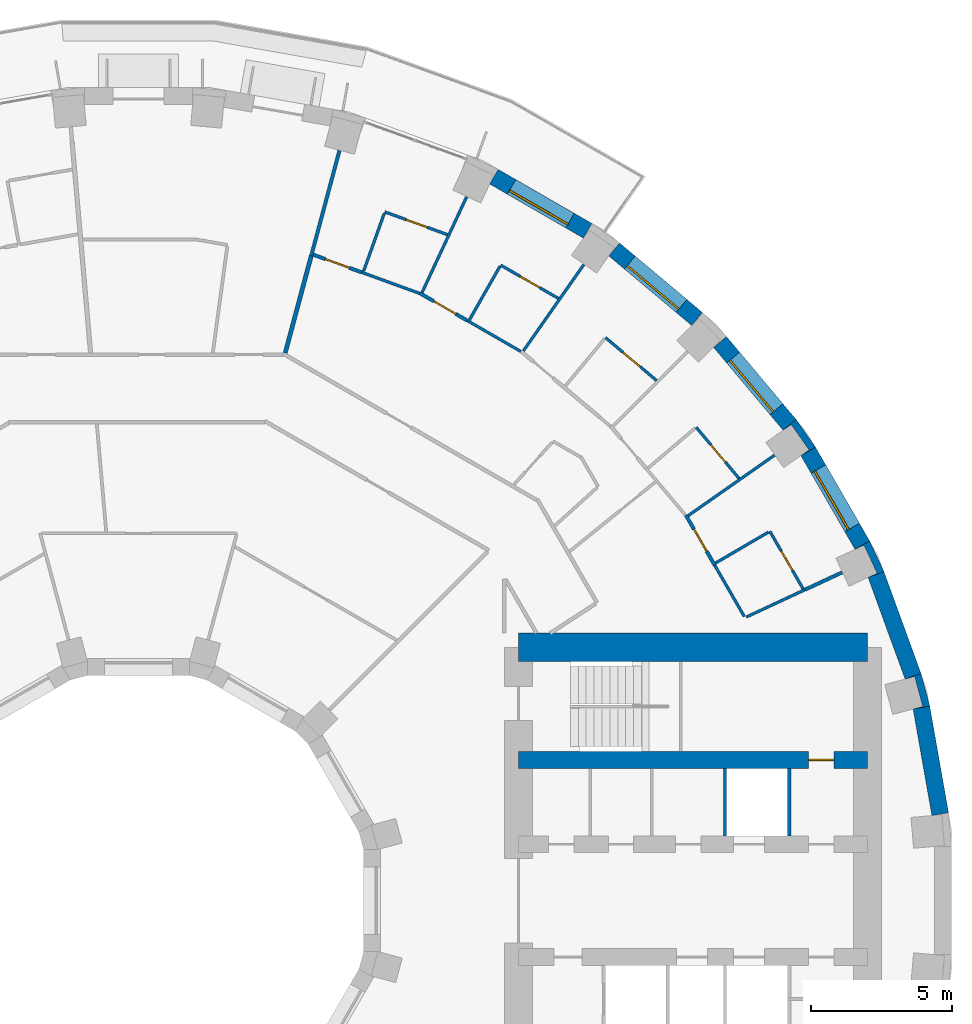
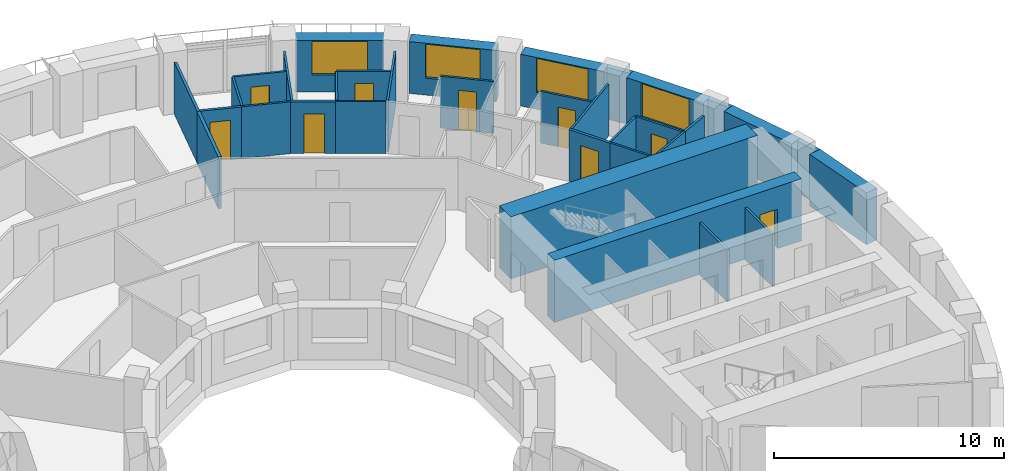
# One storey, part 13 of 15: 34 walls, 9 doors, 4 windows, 13 openings.
"""IFC4 building model written with IfcOpenShell, lengths in metres."""

from ifc_helpers import new_model, si_unit, direction, frame, frame_2d, origin, place, context, subcontext, project, spatial, polyline, rectangle, outline, extrude, material, layer, layer_set, type_object, element, fill, save


model = new_model("IFC4")

# Units and contexts
model_context = context("Model", 3, precision=1e-05, world=origin(), true_north=direction((0.0, 1.0)))
body_context = subcontext(model_context, "Body", "Model", "MODEL_VIEW")
ifc_project = project(units=[si_unit("LENGTHUNIT", "METRE"), si_unit("AREAUNIT", "SQUARE_METRE"), si_unit("VOLUMEUNIT", "CUBIC_METRE"), si_unit("PLANEANGLEUNIT", "RADIAN"), si_unit("MASSUNIT", "GRAM", prefix="KILO")], contexts=[model_context])

# Site, building, storey
site_placement = place(None, origin())
site = spatial("IfcSite", under=ifc_project, at=site_placement, CompositionType="ELEMENT")
building_placement = place(site_placement, origin())
building = spatial("IfcBuilding", under=site, at=building_placement, Name="Saqina Gate Tower", CompositionType="ELEMENT")
storey_placement = place(building_placement, frame((0.0, 0.0, 75.800048828125)))
storey = spatial("IfcBuildingStorey", under=building, at=storey_placement, Name="L21", CompositionType="ELEMENT", Elevation=75.800048828125)

# Walls
ifc_material_1 = material(Name="Brick masonry (red)", Category="masonry")
wall_type_1 = type_object("IfcWallType", Name="BRICK PIER COPING RED", PredefinedType="SOLIDWALL", material=ifc_material_1)
wall_1_placement = place(storey_placement, origin())
element("IfcWall", 1, at=wall_1_placement, inside=storey, type_object=wall_type_1, Name="Pier cap L21 column 2", PredefinedType="SOLIDWALL", context=body_context, shape_type="SweptSolid", body=[
    extrude(outline(polyline([(28.11669921875, 6.910400390625), (27.80517578125, 8.073974609375), (27.2412109375, 7.86865234375), (27.57958984375, 7.95947265625), (27.864501953125, 6.896728515625), (27.52587890625, 6.80615234375), (28.11669921875, 6.910400390625)])), origin(), (0.0, 0.0, 1.0), 2.75),
])
wall_2_placement = place(storey_placement, origin())
element("IfcWall", 2, at=wall_2_placement, inside=storey, type_object=wall_type_1, Name="Pier cap L21 column 3", PredefinedType="SOLIDWALL", context=body_context, shape_type="SweptSolid", body=[
    extrude(outline(polyline([(25.980712890625, 12.779541015625), (25.4609375, 12.4794921875), (25.778564453125, 12.627685546875), (26.243408203125, 11.630615234375), (25.92578125, 11.482666015625), (26.48974609375, 11.687744140625), (25.980712890625, 12.779541015625)])), origin(), (0.0, 0.0, 1.0), 2.75),
])
wall_3_placement = place(storey_placement, origin())
element("IfcWall", 3, at=wall_3_placement, inside=storey, type_object=wall_type_1, Name="Pier cap L21 column 4", PredefinedType="SOLIDWALL", context=body_context, shape_type="SweptSolid", body=[
    extrude(outline(polyline([(24.0576171875, 16.110107421875), (23.36669921875, 17.096923828125), (22.9072265625, 16.711181640625), (23.194091796875, 16.912109375), (23.8251953125, 16.010986328125), (23.5380859375, 15.81005859375), (24.0576171875, 16.110107421875)])), origin(), (0.0, 0.0, 1.0), 2.75),
])

# Wall, opening, window
ifc_material_2 = material(Name="Brick masonry (red)", Category="masonry")
ifc_layer_1 = layer(ifc_material_2, 0.60009765625)
ifc_layer_set_1 = layer_set([ifc_layer_1], Name="FW-BRICK-RED")
wall_type_2 = type_object("IfcWallType", Name="FW-BRICK-RED", PredefinedType="SOLIDWALL", material=ifc_layer_set_1)
wall_4_placement = place(storey_placement, frame((25.720703125, 12.629638671875, 0.0), z_axis=(0.0, 0.0, 1.0), x_axis=(-0.499989888488, 0.86603124159, 0.0)))
wall_4 = element("IfcWall", 4, at=wall_4_placement, inside=storey, type_object=wall_type_2, Name="Facade wall L21 facet 3", PredefinedType="SOLIDWALL", context=body_context, shape_type="SweptSolid", body=[
    extrude(rectangle(XDim=3.845703125, YDim=0.60009765625, at=frame_2d((1.9228515625, 0.0))), origin(), (0.0, 0.0, 1.0), 2.75),
])
opening_1_placement = place(wall_4_placement, frame((0.722900390625, 0.0, 0.89990234375)))
opening_1 = element("IfcOpeningElement", 5, at=opening_1_placement, cuts=wall_4, Name="Opening G06-W01", PredefinedType="OPENING", context=body_context, shape_type="SweptSolid", body=[
    extrude(rectangle(XDim=2.39990234375, YDim=1.800048828125, at=frame_2d((1.199951171875, 0.89990234375))), frame((0.0, 0.31201171875, 0.0), z_axis=(0.0, -1.0, 0.0), x_axis=(1.0, 0.0, 0.0)), (0.0, 0.0, 1.0), 0.6240234375),
])
ifc_material_3 = material(Name="Aluminium glazing", Category="aluminium")
window_type = type_object("IfcWindowType", Name="WN-A", PartitioningType="SINGLE_PANEL", PredefinedType="WINDOW", material=ifc_material_3)
window_1_placement = place(opening_1_placement, origin())
window_1 = element("IfcWindow", 6, at=window_1_placement, inside=storey, type_object=window_type, Name="Window L21 facet 3", OverallHeight=1.800048828125, OverallWidth=2.39990234375, PartitioningType="SINGLE_PANEL", PredefinedType="WINDOW", context=body_context, shape_type="SweptSolid", body=[
    extrude(rectangle(XDim=2.39990234375, YDim=1.800048828125, at=frame_2d((1.199951171875, 0.89990234375))), frame((0.0, 0.179931640625, 0.0), z_axis=(0.0, -1.0, 0.0), x_axis=(1.0, 0.0, 0.0)), (0.0, 0.0, 1.0), 0.06005859375),
])
fill(opening_1, window_1)

wall_5_placement = place(storey_placement, frame((23.136962890625, 16.904052734375, 0.0), z_axis=(0.0, 0.0, 1.0), x_axis=(-0.642809392687, 0.766026164483, 0.0)))
wall_5 = element("IfcWall", 7, at=wall_5_placement, inside=storey, type_object=wall_type_2, Name="Facade wall L21 facet 4", PredefinedType="SOLIDWALL", context=body_context, shape_type="SweptSolid", body=[
    extrude(rectangle(XDim=3.845947265625, YDim=0.60009765625, at=frame_2d((1.9228515625, 0.0))), origin(), (0.0, 0.0, 1.0), 2.75),
])
opening_2_placement = place(wall_5_placement, frame((0.722900390625, 0.0, 0.89990234375)))
opening_2 = element("IfcOpeningElement", 8, at=opening_2_placement, cuts=wall_5, Name="Opening G06-W02", PredefinedType="OPENING", context=body_context, shape_type="SweptSolid", body=[
    extrude(rectangle(XDim=2.39990234375, YDim=1.800048828125, at=frame_2d((1.199951171875, 0.89990234375))), frame((0.0, 0.31201171875, 0.0), z_axis=(0.0, -1.0, 0.0), x_axis=(1.0, 0.0, 0.0)), (0.0, 0.0, 1.0), 0.6240234375),
])
window_2_placement = place(opening_2_placement, origin())
window_2 = element("IfcWindow", 9, at=window_2_placement, inside=storey, type_object=window_type, Name="Window L21 facet 4", OverallHeight=1.800048828125, OverallWidth=2.39990234375, PartitioningType="SINGLE_PANEL", PredefinedType="WINDOW", context=body_context, shape_type="SweptSolid", body=[
    extrude(rectangle(XDim=2.39990234375, YDim=1.800048828125, at=frame_2d((1.199951171875, 0.89990234375))), frame((0.0, 0.179931640625, 0.0), z_axis=(0.0, -1.0, 0.0), x_axis=(1.0, 0.0, 0.0)), (0.0, 0.0, 1.0), 0.06005859375),
])
fill(opening_2, window_2)

wall_6_placement = place(storey_placement, frame((19.85009765625, 20.664794921875, 0.0), z_axis=(0.0, 0.0, 1.0), x_axis=(-0.766026164483, 0.642809392687, 0.0)))
wall_6 = element("IfcWall", 10, at=wall_6_placement, inside=storey, type_object=wall_type_2, Name="Facade wall L21 facet 5", PredefinedType="SOLIDWALL", context=body_context, shape_type="SweptSolid", body=[
    extrude(rectangle(XDim=3.845947265625, YDim=0.60009765625, at=frame_2d((1.9228515625, 0.0))), origin(), (0.0, 0.0, 1.0), 2.75),
])
opening_3_placement = place(wall_6_placement, frame((0.722900390625, 0.0, 0.89990234375)))
opening_3 = element("IfcOpeningElement", 11, at=opening_3_placement, cuts=wall_6, Name="Opening G06-W03", PredefinedType="OPENING", context=body_context, shape_type="SweptSolid", body=[
    extrude(rectangle(XDim=2.39990234375, YDim=1.800048828125, at=frame_2d((1.199951171875, 0.89990234375))), frame((0.0, 0.31201171875, 0.0), z_axis=(0.0, -1.0, 0.0), x_axis=(1.0, 0.0, 0.0)), (0.0, 0.0, 1.0), 0.6240234375),
])
window_3_placement = place(opening_3_placement, origin())
window_3 = element("IfcWindow", 12, at=window_3_placement, inside=storey, type_object=window_type, Name="Window L21 facet 5", OverallHeight=1.800048828125, OverallWidth=2.39990234375, PartitioningType="SINGLE_PANEL", PredefinedType="WINDOW", context=body_context, shape_type="SweptSolid", body=[
    extrude(rectangle(XDim=2.39990234375, YDim=1.800048828125, at=frame_2d((1.199951171875, 0.89990234375))), frame((0.0, 0.179931640625, 0.0), z_axis=(0.0, -1.0, 0.0), x_axis=(1.0, 0.0, 0.0)), (0.0, 0.0, 1.0), 0.06005859375),
])
fill(opening_3, window_3)

wall_7_placement = place(storey_placement, frame((15.960205078125, 23.7978515625, 0.0), z_axis=(0.0, 0.0, 1.0), x_axis=(-0.86603124159, 0.499989888488, 0.0)))
wall_7 = element("IfcWall", 13, at=wall_7_placement, inside=storey, type_object=wall_type_2, Name="Facade wall L21 facet 6", PredefinedType="SOLIDWALL", context=body_context, shape_type="SweptSolid", body=[
    extrude(rectangle(XDim=3.845703125, YDim=0.60009765625, at=frame_2d((1.9228515625, 0.0))), origin(), (0.0, 0.0, 1.0), 2.75),
])
opening_4_placement = place(wall_7_placement, frame((0.722900390625, 0.0, 0.89990234375)))
opening_4 = element("IfcOpeningElement", 14, at=opening_4_placement, cuts=wall_7, Name="Opening G06-W04", PredefinedType="OPENING", context=body_context, shape_type="SweptSolid", body=[
    extrude(rectangle(XDim=2.39990234375, YDim=1.800048828125, at=frame_2d((1.199951171875, 0.89990234375))), frame((0.0, 0.31201171875, 0.0), z_axis=(0.0, -1.0, 0.0), x_axis=(1.0, 0.0, 0.0)), (0.0, 0.0, 1.0), 0.6240234375),
])
window_4_placement = place(opening_4_placement, origin())
window_4 = element("IfcWindow", 15, at=window_4_placement, inside=storey, type_object=window_type, Name="Window L21 facet 6", OverallHeight=1.800048828125, OverallWidth=2.39990234375, PartitioningType="SINGLE_PANEL", PredefinedType="WINDOW", context=body_context, shape_type="SweptSolid", body=[
    extrude(rectangle(XDim=2.39990234375, YDim=1.800048828125, at=frame_2d((1.199951171875, 0.89990234375))), frame((0.0, 0.179931640625, 0.0), z_axis=(0.0, -1.0, 0.0), x_axis=(1.0, 0.0, 0.0)), (0.0, 0.0, 1.0), 0.06005859375),
])
fill(opening_4, window_4)

# Walls
ifc_material_4 = material(Name="Glazed ceramic tile", Category="ceramic")
ifc_layer_2 = layer(ifc_material_4, 0.60009765625)
ifc_layer_set_2 = layer_set([ifc_layer_2], Name="FW-TILE")
wall_type_3 = type_object("IfcWallType", Name="FW-TILE", PredefinedType="SOLIDWALL", material=ifc_layer_set_2)
wall_8_placement = place(storey_placement, frame((27.523193359375, 7.97119140625, 0.0), z_axis=(0.0, 0.0, 1.0), x_axis=(-0.342028474173, 0.939689588564, 0.0)))
element("IfcWall", 16, at=wall_8_placement, inside=storey, type_object=wall_type_3, Name="Facade wall L21 facet 2", PredefinedType="SOLIDWALL", context=body_context, shape_type="SweptSolid", body=[
    extrude(rectangle(XDim=3.845947265625, YDim=0.60009765625, at=frame_2d((1.9228515625, 0.0))), origin(), (0.0, 0.0, 1.0), 2.75),
])
ifc_material_5 = material(Name="Glazed ceramic tile (dark blue)", Category="ceramic")
ifc_layer_3 = layer(ifc_material_5, 0.60009765625)
ifc_layer_set_3 = layer_set([ifc_layer_3], Name="FW-TILE-CB")
wall_type_4 = type_object("IfcWallType", Name="FW-TILE-CB", PredefinedType="SOLIDWALL", material=ifc_layer_set_3)
wall_9_placement = place(storey_placement, frame((28.4892578125, 3.07080078125, 0.0), z_axis=(0.0, 0.0, 1.0), x_axis=(-0.173687553279, 0.984800809218, 0.0)))
element("IfcWall", 17, at=wall_9_placement, inside=storey, type_object=wall_type_4, Name="Facade wall L21 facet 1", PredefinedType="SOLIDWALL", context=body_context, shape_type="SweptSolid", body=[
    extrude(rectangle(XDim=3.845703125, YDim=0.60009765625, at=frame_2d((1.9228515625, 0.0))), origin(), (0.0, 0.0, 1.0), 2.75),
])
ifc_material_6 = material(Name="Gypsum board on steel studs, 100 mm", Category="steel")
ifc_layer_4 = layer(ifc_material_6, 0.10009765625)
ifc_layer_set_4 = layer_set([ifc_layer_4], Name="PARTITION 100")
wall_type_5 = type_object("IfcWallType", Name="PARTITION 100", PredefinedType="PARTITIONING", material=ifc_layer_set_4)
wall_10_placement = place(storey_placement, frame((20.480224609375, 11.90576171875, 0.0), z_axis=(0.0, 0.0, 1.0), x_axis=(0.500153222552, -0.865936922628, 0.0)))
element("IfcWall", 18, at=wall_10_placement, inside=storey, type_object=wall_type_5, Name="PARTITION PW3-23", PredefinedType="PARTITIONING", context=body_context, shape_type="SweptSolid", body=[
    extrude(rectangle(XDim=2.093017578125, YDim=0.10009765625, at=frame_2d((1.04638671875, 0.0))), origin(), (0.0, 0.0, 1.0), 2.75),
])

# Wall, opening, door
wall_11_placement = place(storey_placement, frame((22.43505859375, 13.12109375, 0.0), z_axis=(0.0, 0.0, 1.0), x_axis=(0.500121220083, -0.865955406025, 0.0)))
wall_11 = element("IfcWall", 19, at=wall_11_placement, inside=storey, type_object=wall_type_5, Name="PARTITION PW3-24", PredefinedType="PARTITIONING", context=body_context, shape_type="SweptSolid", body=[
    extrude(rectangle(XDim=2.3671875, YDim=0.10009765625, at=frame_2d((1.18359375, 0.0))), origin(), (0.0, 0.0, 1.0), 2.75),
])
opening_5_placement = place(wall_11_placement, frame((0.809814453125, 0.0, 0.0)))
opening_5 = element("IfcOpeningElement", 20, at=opening_5_placement, cuts=wall_11, Name="Opening G06-D01", PredefinedType="OPENING", context=body_context, shape_type="SweptSolid", body=[
    extrude(rectangle(XDim=0.800048828125, YDim=2.10009765625, at=frame_2d((0.39990234375, 1.050048828125))), frame((0.0, 0.06201171875, 0.0), z_axis=(0.0, -1.0, 0.0), x_axis=(1.0, 0.0, 0.0)), (0.0, 0.0, 1.0), 0.1240234375),
])
ifc_material_7 = material(Name="Timber door leaf, 800 mm", Category="wood")
door_type_1 = type_object("IfcDoorType", Name="DOOR 800 TIMBER", OperationType="SINGLE_SWING_LEFT", PredefinedType="DOOR", material=ifc_material_7)
door_1_placement = place(opening_5_placement, origin())
door_1 = element("IfcDoor", 21, at=door_1_placement, inside=storey, type_object=door_type_1, Name="DOOR G06-D01", OperationType="SINGLE_SWING_RIGHT", OverallHeight=2.10009765625, OverallWidth=0.800048828125, PredefinedType="DOOR", context=body_context, shape_type="SweptSolid", body=[
    extrude(rectangle(XDim=0.800048828125, YDim=2.10009765625, at=frame_2d((0.39990234375, 1.050048828125))), frame((0.0, 0.02490234375, 0.0), z_axis=(0.0, -1.0, 0.0), x_axis=(1.0, 0.0, 0.0)), (0.0, 0.0, 1.0), 0.050048828125),
])
fill(opening_5, door_1)

wall_12_placement = place(storey_placement, frame((19.81591796875, 16.81689453125, 0.0), z_axis=(0.0, 0.0, 1.0), x_axis=(0.642846415365, -0.765995095449, 0.0)))
wall_12 = element("IfcWall", 22, at=wall_12_placement, inside=storey, type_object=wall_type_5, Name="PARTITION PW3-32", PredefinedType="PARTITIONING", context=body_context, shape_type="SweptSolid", body=[
    extrude(rectangle(XDim=2.369140625, YDim=0.10009765625, at=frame_2d((1.1845703125, 0.0))), origin(), (0.0, 0.0, 1.0), 2.75),
])
opening_6_placement = place(wall_12_placement, frame((0.8095703125, 0.0, 0.0)))
opening_6 = element("IfcOpeningElement", 23, at=opening_6_placement, cuts=wall_12, Name="Opening G06-D03", PredefinedType="OPENING", context=body_context, shape_type="SweptSolid", body=[
    extrude(rectangle(XDim=0.800048828125, YDim=2.10009765625, at=frame_2d((0.39990234375, 1.050048828125))), frame((0.0, 0.06201171875, 0.0), z_axis=(0.0, -1.0, 0.0), x_axis=(1.0, 0.0, 0.0)), (0.0, 0.0, 1.0), 0.1240234375),
])
door_2_placement = place(opening_6_placement, origin())
door_2 = element("IfcDoor", 24, at=door_2_placement, inside=storey, type_object=door_type_1, Name="DOOR G06-D03", OperationType="SINGLE_SWING_RIGHT", OverallHeight=2.10009765625, OverallWidth=0.800048828125, PredefinedType="DOOR", context=body_context, shape_type="SweptSolid", body=[
    extrude(rectangle(XDim=0.800048828125, YDim=2.10009765625, at=frame_2d((0.39990234375, 1.050048828125))), frame((0.0, 0.02490234375, 0.0), z_axis=(0.0, -1.0, 0.0), x_axis=(1.0, 0.0, 0.0)), (0.0, 0.0, 1.0), 0.050048828125),
])
fill(opening_6, door_2)

wall_13_placement = place(storey_placement, frame((16.593994140625, 20.0029296875, 0.0), z_axis=(0.0, 0.0, 1.0), x_axis=(0.766216087927, -0.642582995886, 0.0)))
wall_13 = element("IfcWall", 25, at=wall_13_placement, inside=storey, type_object=wall_type_5, Name="PARTITION PW3-37", PredefinedType="PARTITIONING", context=body_context, shape_type="SweptSolid", body=[
    extrude(rectangle(XDim=2.36962890625, YDim=0.10009765625, at=frame_2d((1.184814453125, 0.0))), origin(), (0.0, 0.0, 1.0), 2.75),
])
opening_7_placement = place(wall_13_placement, frame((0.809814453125, 0.0, 0.0)))
opening_7 = element("IfcOpeningElement", 26, at=opening_7_placement, cuts=wall_13, Name="Opening G06-D06", PredefinedType="OPENING", context=body_context, shape_type="SweptSolid", body=[
    extrude(rectangle(XDim=0.800048828125, YDim=2.10009765625, at=frame_2d((0.39990234375, 1.050048828125))), frame((0.0, 0.06201171875, 0.0), z_axis=(0.0, -1.0, 0.0), x_axis=(1.0, 0.0, 0.0)), (0.0, 0.0, 1.0), 0.1240234375),
])
door_3_placement = place(opening_7_placement, origin())
door_3 = element("IfcDoor", 27, at=door_3_placement, inside=storey, type_object=door_type_1, Name="DOOR G06-D06", OperationType="SINGLE_SWING_RIGHT", OverallHeight=2.10009765625, OverallWidth=0.800048828125, PredefinedType="DOOR", context=body_context, shape_type="SweptSolid", body=[
    extrude(rectangle(XDim=0.800048828125, YDim=2.10009765625, at=frame_2d((0.39990234375, 1.050048828125))), frame((0.0, 0.02490234375, 0.0), z_axis=(0.0, -1.0, 0.0), x_axis=(1.0, 0.0, 0.0)), (0.0, 0.0, 1.0), 0.050048828125),
])
fill(opening_7, door_3)

# Wall
wall_14_placement = place(storey_placement, frame((11.686767578125, 20.60693359375, 0.0), z_axis=(0.0, 0.0, 1.0), x_axis=(0.866180024749, -0.499732092952, 0.0)))
element("IfcWall", 28, at=wall_14_placement, inside=storey, type_object=wall_type_5, Name="PARTITION PW3-45", PredefinedType="PARTITIONING", context=body_context, shape_type="SweptSolid", body=[
    extrude(rectangle(XDim=2.192626953125, YDim=0.10009765625, at=frame_2d((1.09619140625, 0.0))), origin(), (0.0, 0.0, 1.0), 2.75),
])

# Wall, opening, door
wall_15_placement = place(storey_placement, frame((12.868896484375, 22.580078125, 0.0), z_axis=(0.0, 0.0, 1.0), x_axis=(0.866116947413, -0.499841408252, 0.0)))
wall_15 = element("IfcWall", 29, at=wall_15_placement, inside=storey, type_object=wall_type_5, Name="PARTITION PW3-46", PredefinedType="PARTITIONING", context=body_context, shape_type="SweptSolid", body=[
    extrude(rectangle(XDim=2.368896484375, YDim=0.10009765625, at=frame_2d((1.1845703125, 0.0))), origin(), (0.0, 0.0, 1.0), 2.75),
])
opening_8_placement = place(wall_15_placement, frame((0.809326171875, 0.0, 0.0)))
opening_8 = element("IfcOpeningElement", 30, at=opening_8_placement, cuts=wall_15, Name="Opening G06-D09", PredefinedType="OPENING", context=body_context, shape_type="SweptSolid", body=[
    extrude(rectangle(XDim=0.800048828125, YDim=2.10009765625, at=frame_2d((0.39990234375, 1.050048828125))), frame((0.0, 0.06201171875, 0.0), z_axis=(0.0, -1.0, 0.0), x_axis=(1.0, 0.0, 0.0)), (0.0, 0.0, 1.0), 0.1240234375),
])
door_4_placement = place(opening_8_placement, origin())
door_4 = element("IfcDoor", 31, at=door_4_placement, inside=storey, type_object=door_type_1, Name="DOOR G06-D09", OperationType="SINGLE_SWING_RIGHT", OverallHeight=2.10009765625, OverallWidth=0.800048828125, PredefinedType="DOOR", context=body_context, shape_type="SweptSolid", body=[
    extrude(rectangle(XDim=0.800048828125, YDim=2.10009765625, at=frame_2d((0.39990234375, 1.050048828125))), frame((0.0, 0.02490234375, 0.0), z_axis=(0.0, -1.0, 0.0), x_axis=(1.0, 0.0, 0.0)), (0.0, 0.0, 1.0), 0.050048828125),
])
fill(opening_8, door_4)

# Wall
wall_16_placement = place(storey_placement, frame((7.930908203125, 22.322998046875, 0.0), z_axis=(0.0, 0.0, 1.0), x_axis=(0.939747896663, -0.3418682359, 0.0)))
element("IfcWall", 32, at=wall_16_placement, inside=storey, type_object=wall_type_5, Name="PARTITION PW3-51", PredefinedType="PARTITIONING", context=body_context, shape_type="SweptSolid", body=[
    extrude(rectangle(XDim=2.1923828125, YDim=0.10009765625, at=frame_2d((1.09619140625, 0.0))), origin(), (0.0, 0.0, 1.0), 2.75),
])

# Wall, opening, door
wall_17_placement = place(storey_placement, frame((8.751953125, 24.471923828125, 0.0), z_axis=(0.0, 0.0, 1.0), x_axis=(0.939784398176, -0.341767881674, 0.0)))
wall_17 = element("IfcWall", 33, at=wall_17_placement, inside=storey, type_object=wall_type_5, Name="PARTITION PW3-52", PredefinedType="PARTITIONING", context=body_context, shape_type="SweptSolid", body=[
    extrude(rectangle(XDim=2.369384765625, YDim=0.10009765625, at=frame_2d((1.1845703125, 0.0))), origin(), (0.0, 0.0, 1.0), 2.75),
])
opening_9_placement = place(wall_17_placement, frame((0.809814453125, 0.0, 0.0)))
opening_9 = element("IfcOpeningElement", 34, at=opening_9_placement, cuts=wall_17, Name="Opening G06-D14", PredefinedType="OPENING", context=body_context, shape_type="SweptSolid", body=[
    extrude(rectangle(XDim=0.800048828125, YDim=2.10009765625, at=frame_2d((0.39990234375, 1.050048828125))), frame((0.0, 0.06201171875, 0.0), z_axis=(0.0, -1.0, 0.0), x_axis=(1.0, 0.0, 0.0)), (0.0, 0.0, 1.0), 0.1240234375),
])
door_5_placement = place(opening_9_placement, origin())
door_5 = element("IfcDoor", 35, at=door_5_placement, inside=storey, type_object=door_type_1, Name="DOOR G06-D14", OperationType="SINGLE_SWING_RIGHT", OverallHeight=2.10009765625, OverallWidth=0.800048828125, PredefinedType="DOOR", context=body_context, shape_type="SweptSolid", body=[
    extrude(rectangle(XDim=0.800048828125, YDim=2.10009765625, at=frame_2d((0.39990234375, 1.050048828125))), frame((0.0, 0.02490234375, 0.0), z_axis=(0.0, -1.0, 0.0), x_axis=(1.0, 0.0, 0.0)), (0.0, 0.0, 1.0), 0.050048828125),
])
fill(opening_9, door_5)

# Walls
wall_18_placement = place(storey_placement, frame((21.596435546875, 10.0732421875, 0.0), z_axis=(0.0, 0.0, 1.0), x_axis=(0.906315450742, 0.422601826483, 0.0)))
element("IfcWall", 36, at=wall_18_placement, inside=storey, type_object=wall_type_5, Name="PARTITION PW3-72", PredefinedType="PARTITIONING", context=body_context, shape_type="SweptSolid", body=[
    extrude(rectangle(XDim=2.30908203125, YDim=0.10009765625, at=frame_2d((1.154541015625, 0.0))), origin(), (0.0, 0.0, 1.0), 2.75),
])
wall_19_placement = place(storey_placement, frame((20.5029296875, 11.991455078125, 0.0), z_axis=(0.0, 0.0, 1.0), x_axis=(0.863305021383, 0.504682514116, 0.0)))
element("IfcWall", 37, at=wall_19_placement, inside=storey, type_object=wall_type_5, Name="PARTITION PW3-83", PredefinedType="PARTITIONING", context=body_context, shape_type="SweptSolid", body=[
    extrude(rectangle(XDim=2.18798828125, YDim=0.10009765625, at=frame_2d((1.093994140625, 0.0))), origin(), (0.0, 0.0, 1.0), 2.75),
])
for number, where, z_axis, x_axis, name in (
    (38, (19.53125, 13.67578125, 0.0), (0.0, 0.0, 1.0), (0.819152325028, 0.573576035414, 0.0), "PARTITION PW3-85"),
    (39, (13.67578125, 19.53125, 0.0), (0.0, 0.0, 1.0), (0.573576035414, 0.819152325028, 0.0), "PARTITION PW3-102"),
):
    element("IfcWall", number, at=place(storey_placement, frame(where, z_axis=z_axis, x_axis=x_axis)), inside=storey, type_object=wall_type_5, Name=name, PredefinedType="PARTITIONING", context=body_context, shape_type="SweptSolid", body=[
        extrude(rectangle(XDim=3.7470703125, YDim=0.10009765625, at=frame_2d((1.87353515625, 0.0))), origin(), (0.0, 0.0, 1.0), 2.75),
    ])
wall_20_placement = place(storey_placement, frame((11.760986328125, 20.63623046875, 0.0), z_axis=(0.0, 0.0, 1.0), x_axis=(0.495213152806, 0.868771508101, 0.0)))
element("IfcWall", 40, at=wall_20_placement, inside=storey, type_object=wall_type_5, Name="PARTITION PW3-105", PredefinedType="PARTITIONING", context=body_context, shape_type="SweptSolid", body=[
    extrude(rectangle(XDim=2.1875, YDim=0.10009765625, at=frame_2d((1.09375, 0.0))), origin(), (0.0, 0.0, 1.0), 2.75),
])
wall_21_placement = place(storey_placement, frame((10.0771484375, 21.6083984375, 0.0), z_axis=(0.0, 0.0, 1.0), x_axis=(0.422311144858, 0.906450934651, 0.0)))
element("IfcWall", 41, at=wall_21_placement, inside=storey, type_object=wall_type_5, Name="PARTITION PW3-106", PredefinedType="PARTITIONING", context=body_context, shape_type="SweptSolid", body=[
    extrude(rectangle(XDim=3.747314453125, YDim=0.10009765625, at=frame_2d((1.87353515625, 0.0))), origin(), (0.0, 0.0, 1.0), 2.75),
])
wall_22_placement = place(storey_placement, frame((7.9990234375, 22.36474609375, 0.0), z_axis=(0.0, 0.0, 1.0), x_axis=(0.336477788464, 0.941691402674, 0.0)))
element("IfcWall", 42, at=wall_22_placement, inside=storey, type_object=wall_type_5, Name="PARTITION PW3-109", PredefinedType="PARTITIONING", context=body_context, shape_type="SweptSolid", body=[
    extrude(rectangle(XDim=2.1875, YDim=0.10009765625, at=frame_2d((1.09375, 0.0))), origin(), (0.0, 0.0, 1.0), 2.75),
])

# Wall, opening, door
ifc_material_8 = material(Name="Gypsum board on steel studs, 125 mm, fire rated", Category="steel")
ifc_layer_5 = layer(ifc_material_8, 0.125)
ifc_layer_set_5 = layer_set([ifc_layer_5], Name="PARTITION EI 30 125")
wall_type_6 = type_object("IfcWallType", Name="PARTITION EI 30 125", PredefinedType="PARTITIONING", material=ifc_layer_set_5)
wall_23_placement = place(storey_placement, frame((19.44921875, 13.69580078125, 0.0), z_axis=(0.0, 0.0, 1.0), x_axis=(0.499101616471, -0.866543464828, 0.0)))
wall_23 = element("IfcWall", 43, at=wall_23_placement, inside=storey, type_object=wall_type_6, Name="PARTITION PW1-04", PredefinedType="PARTITIONING", context=body_context, shape_type="SweptSolid", body=[
    extrude(rectangle(XDim=2.065673828125, YDim=0.125, at=frame_2d((1.03271484375, 0.0))), origin(), (0.0, 0.0, 1.0), 2.75),
])
opening_10_placement = place(wall_23_placement, frame((0.58349609375, 0.0, 0.0)))
opening_10 = element("IfcOpeningElement", 44, at=opening_10_placement, cuts=wall_23, Name="Opening G06-D02", PredefinedType="OPENING", context=body_context, shape_type="SweptSolid", body=[
    extrude(rectangle(XDim=0.89990234375, YDim=2.10009765625, at=frame_2d((0.449951171875, 1.050048828125))), frame((0.0, 0.074462890625, 0.0), z_axis=(0.0, -1.0, 0.0), x_axis=(1.0, 0.0, 0.0)), (0.0, 0.0, 1.0), 0.14892578125),
])
ifc_material_9 = material(Name="Fire door leaf EI 30, 900 mm")
door_type_2 = type_object("IfcDoorType", Name="DOOR 900 EI 30", OperationType="SINGLE_SWING_LEFT", PredefinedType="DOOR", material=ifc_material_9)
door_6_placement = place(opening_10_placement, frame((0.89990234375, 0.0, 0.0), z_axis=(0.0, 0.0, 1.0), x_axis=(-1.0, 0.0, 0.0)))
door_6 = element("IfcDoor", 45, at=door_6_placement, inside=storey, type_object=door_type_2, Name="DOOR G06-D02", OperationType="SINGLE_SWING_RIGHT", OverallHeight=2.10009765625, OverallWidth=0.89990234375, PredefinedType="DOOR", context=body_context, shape_type="SweptSolid", body=[
    extrude(rectangle(XDim=0.89990234375, YDim=2.10009765625, at=frame_2d((0.449951171875, 1.050048828125))), frame((0.0, 0.02490234375, 0.0), z_axis=(0.0, -1.0, 0.0), x_axis=(1.0, 0.0, 0.0)), (0.0, 0.0, 1.0), 0.050048828125),
])
fill(opening_10, door_6)

wall_24_placement = place(storey_placement, frame((9.9951171875, 21.583740234375, 0.0), z_axis=(0.0, 0.0, 1.0), x_axis=(0.865996179119, -0.50005061519, 0.0)))
wall_24 = element("IfcWall", 46, at=wall_24_placement, inside=storey, type_object=wall_type_6, Name="PARTITION PW1-26", PredefinedType="PARTITIONING", context=body_context, shape_type="SweptSolid", body=[
    extrude(rectangle(XDim=1.953369140625, YDim=0.125, at=frame_2d((0.9765625, 0.0))), origin(), (0.0, 0.0, 1.0), 2.75),
])
opening_11_placement = place(wall_24_placement, frame((0.58349609375, 0.0, 0.0)))
opening_11 = element("IfcOpeningElement", 47, at=opening_11_placement, cuts=wall_24, Name="Opening G06-D13", PredefinedType="OPENING", context=body_context, shape_type="SweptSolid", body=[
    extrude(rectangle(XDim=0.89990234375, YDim=2.10009765625, at=frame_2d((0.449951171875, 1.050048828125))), frame((0.0, 0.074462890625, 0.0), z_axis=(0.0, -1.0, 0.0), x_axis=(1.0, 0.0, 0.0)), (0.0, 0.0, 1.0), 0.14892578125),
])
door_7_placement = place(opening_11_placement, frame((0.89990234375, 0.0, 0.0), z_axis=(0.0, 0.0, 1.0), x_axis=(-1.0, 0.0, 0.0)))
door_7 = element("IfcDoor", 48, at=door_7_placement, inside=storey, type_object=door_type_2, Name="DOOR G06-D13", OperationType="SINGLE_SWING_RIGHT", OverallHeight=2.10009765625, OverallWidth=0.89990234375, PredefinedType="DOOR", context=body_context, shape_type="SweptSolid", body=[
    extrude(rectangle(XDim=0.89990234375, YDim=2.10009765625, at=frame_2d((0.449951171875, 1.050048828125))), frame((0.0, 0.02490234375, 0.0), z_axis=(0.0, -1.0, 0.0), x_axis=(1.0, 0.0, 0.0)), (0.0, 0.0, 1.0), 0.050048828125),
])
fill(opening_11, door_7)

wall_25_placement = place(storey_placement, frame((6.213623046875, 22.94873046875, 0.0), z_axis=(0.0, 0.0, 1.0), x_axis=(0.939570923622, -0.34235431863, 0.0)))
wall_25 = element("IfcWall", 49, at=wall_25_placement, inside=storey, type_object=wall_type_6, Name="PARTITION PW1-28", PredefinedType="PARTITIONING", context=body_context, shape_type="SweptSolid", body=[
    extrude(rectangle(XDim=1.82763671875, YDim=0.125, at=frame_2d((0.913818359375, 0.0))), origin(), (0.0, 0.0, 1.0), 2.75),
])
opening_12_placement = place(wall_25_placement, frame((0.45751953125, 0.0, 0.0)))
opening_12 = element("IfcOpeningElement", 50, at=opening_12_placement, cuts=wall_25, Name="Opening G06-D15", PredefinedType="OPENING", context=body_context, shape_type="SweptSolid", body=[
    extrude(rectangle(XDim=0.89990234375, YDim=2.10009765625, at=frame_2d((0.449951171875, 1.050048828125))), frame((0.0, 0.074462890625, 0.0), z_axis=(0.0, -1.0, 0.0), x_axis=(1.0, 0.0, 0.0)), (0.0, 0.0, 1.0), 0.14892578125),
])
door_8_placement = place(opening_12_placement, frame((0.89990234375, 0.0, 0.0), z_axis=(0.0, 0.0, 1.0), x_axis=(-1.0, 0.0, 0.0)))
door_8 = element("IfcDoor", 51, at=door_8_placement, inside=storey, type_object=door_type_2, Name="DOOR G06-D15", OperationType="SINGLE_SWING_RIGHT", OverallHeight=2.10009765625, OverallWidth=0.89990234375, PredefinedType="DOOR", context=body_context, shape_type="SweptSolid", body=[
    extrude(rectangle(XDim=0.89990234375, YDim=2.10009765625, at=frame_2d((0.449951171875, 1.050048828125))), frame((0.0, 0.02490234375, 0.0), z_axis=(0.0, -1.0, 0.0), x_axis=(1.0, 0.0, 0.0)), (0.0, 0.0, 1.0), 0.050048828125),
])
fill(opening_12, door_8)

# Walls
wall_26_placement = place(storey_placement, frame((23.689208984375, 11.049072265625, 0.0), z_axis=(0.0, 0.0, 1.0), x_axis=(0.906406580268, 0.422406334288, 0.0)))
element("IfcWall", 52, at=wall_26_placement, inside=storey, type_object=wall_type_6, Name="PARTITION PW1-41", PredefinedType="PARTITIONING", context=body_context, shape_type="SweptSolid", body=[
    extrude(rectangle(XDim=1.45068359375, YDim=0.125, at=frame_2d((0.725341796875, 0.0))), origin(), (0.0, 0.0, 1.0), 2.75),
])
wall_27_placement = place(storey_placement, frame((6.138916015625, 22.90966796875, 0.0), z_axis=(0.0, 0.0, 1.0), x_axis=(0.258761298032, 0.96594129772, 0.0)))
element("IfcWall", 53, at=wall_27_placement, inside=storey, type_object=wall_type_6, Name="PARTITION PW1-59", PredefinedType="PARTITIONING", context=body_context, shape_type="SweptSolid", body=[
    extrude(rectangle(XDim=3.8720703125, YDim=0.125, at=frame_2d((1.93603515625, 0.0))), origin(), (0.0, 0.0, 1.0), 2.75),
])
ifc_material_10 = material(Name="Gypsum board on steel studs, 150 mm, fire rated", Category="steel")
ifc_layer_6 = layer(ifc_material_10, 0.14990234375)
ifc_layer_set_6 = layer_set([ifc_layer_6], Name="PARTITION EI 60 150")
wall_type_7 = type_object("IfcWallType", Name="PARTITION EI 60 150", PredefinedType="PARTITIONING", material=ifc_layer_set_6)
wall_28_placement = place(storey_placement, frame((5.214111328125, 19.46044921875, 0.0), z_axis=(0.0, 0.0, 1.0), x_axis=(0.25897301144, 0.965884557981, 0.0)))
element("IfcWall", 54, at=wall_28_placement, inside=storey, type_object=wall_type_7, Name="PARTITION PW2-04", PredefinedType="PARTITIONING", context=body_context, shape_type="SweptSolid", body=[
    extrude(rectangle(XDim=3.571044921875, YDim=0.14990234375, at=frame_2d((1.78564453125, 0.0))), origin(), (0.0, 0.0, 1.0), 2.75),
])
ifc_material_11 = material(Name="Autoclaved aerated concrete block", Category="concrete")
ifc_layer_7 = layer(ifc_material_11, 0.1201171875)
ifc_layer_set_7 = layer_set([ifc_layer_7], Name="SHAFT PARTITION")
wall_type_8 = type_object("IfcWallType", Name="SHAFT PARTITION", PredefinedType="PARTITIONING", material=ifc_layer_set_7)
for number, where, z_axis, x_axis, name in (
    (55, (20.840087890625, 2.300048828125, 0.0), (0.0, 0.0, 1.0), (0.0, 1.0, 0.0), "L21-CP-E03"),
    (56, (23.1201171875, 2.300048828125, 0.0), (0.0, 0.0, 1.0), (0.0, 1.0, 0.0), "L21-CP-E04"),
):
    element("IfcWall", number, at=place(storey_placement, frame(where, z_axis=z_axis, x_axis=x_axis)), inside=storey, type_object=wall_type_8, Name=name, PredefinedType="PARTITIONING", context=body_context, shape_type="SweptSolid", body=[
        extrude(rectangle(XDim=2.39990234375, YDim=0.1201171875, at=frame_2d((1.199951171875, 0.0))), origin(), (0.0, 0.0, 1.0), 2.75),
    ])

# Wall, opening, door
ifc_material_12 = material(Name="Concrete C70/85", Category="concrete")
ifc_layer_8 = layer(ifc_material_12, 0.60009765625)
ifc_layer_set_8 = layer_set([ifc_layer_8], Name="Concrete C70/85")
wall_type_9 = type_object("IfcWallType", Name="STR-CORE WALL-A-I", PredefinedType="SHEAR", material=ifc_layer_set_8)
wall_29_placement = place(storey_placement, frame((13.5, 5.0, 0.0), z_axis=(0.0, 0.0, 1.0), x_axis=(1.0, 0.0, 0.0)))
wall_29 = element("IfcWall", 57, at=wall_29_placement, inside=storey, type_object=wall_type_9, Name="CORE WALL L21 E-X1", PredefinedType="SHEAR", context=body_context, shape_type="SweptSolid", body=[
    extrude(rectangle(XDim=12.39990234375, YDim=0.60009765625, at=frame_2d((6.199951171875, 0.0))), origin(), (0.0, 0.0, 1.0), 3.300048828125),
])
opening_13_placement = place(wall_29_placement, frame((10.31005859375, 0.0, 0.0)))
opening_13 = element("IfcOpeningElement", 58, at=opening_13_placement, cuts=wall_29, Name="Opening G06-D96", PredefinedType="OPENING", context=body_context, shape_type="SweptSolid", body=[
    extrude(rectangle(XDim=0.89990234375, YDim=2.10009765625, at=frame_2d((0.449951171875, 1.050048828125))), frame((0.0, 0.31201171875, 0.0), z_axis=(0.0, -1.0, 0.0), x_axis=(1.0, 0.0, 0.0)), (0.0, 0.0, 1.0), 0.6240234375),
])
ifc_material_13 = material(Name="Steel-framed fire door leaf, EI 60", Category="steel")
door_type_3 = type_object("IfcDoorType", Name="SERVICE ROOM DOOR 900", OperationType="SINGLE_SWING_LEFT", PredefinedType="DOOR", material=ifc_material_13)
door_9_placement = place(opening_13_placement, origin())
door_9 = element("IfcDoor", 59, at=door_9_placement, inside=storey, type_object=door_type_3, Name="L21-CD-E07", OperationType="SINGLE_SWING_RIGHT", OverallHeight=2.10009765625, OverallWidth=0.89990234375, PredefinedType="DOOR", context=body_context, shape_type="SweptSolid", body=[
    extrude(rectangle(XDim=0.89990234375, YDim=2.10009765625, at=frame_2d((0.449951171875, 1.050048828125))), frame((0.0, 0.02490234375, 0.0), z_axis=(0.0, -1.0, 0.0), x_axis=(1.0, 0.0, 0.0)), (0.0, 0.0, 1.0), 0.050048828125),
])
fill(opening_13, door_9)

# Wall
ifc_material_14 = material(Name="Concrete C70/85", Category="concrete")
ifc_layer_9 = layer(ifc_material_14, 1.0)
ifc_layer_set_9 = layer_set([ifc_layer_9], Name="Concrete C70/85")
wall_type_10 = type_object("IfcWallType", Name="STR-CORE WALL-A-O", PredefinedType="SHEAR", material=ifc_layer_set_9)
wall_30_placement = place(storey_placement, frame((13.5, 9.0, 0.0), z_axis=(0.0, 0.0, 1.0), x_axis=(1.0, 0.0, 0.0)))
element("IfcWall", 60, at=wall_30_placement, inside=storey, type_object=wall_type_10, Name="CORE WALL L21 E-NE", PredefinedType="SHEAR", context=body_context, shape_type="SweptSolid", body=[
    extrude(rectangle(XDim=12.39990234375, YDim=1.0, at=frame_2d((6.199951171875, 0.0))), origin(), (0.0, 0.0, 1.0), 3.300048828125),
])

save(model, "model.ifc")
